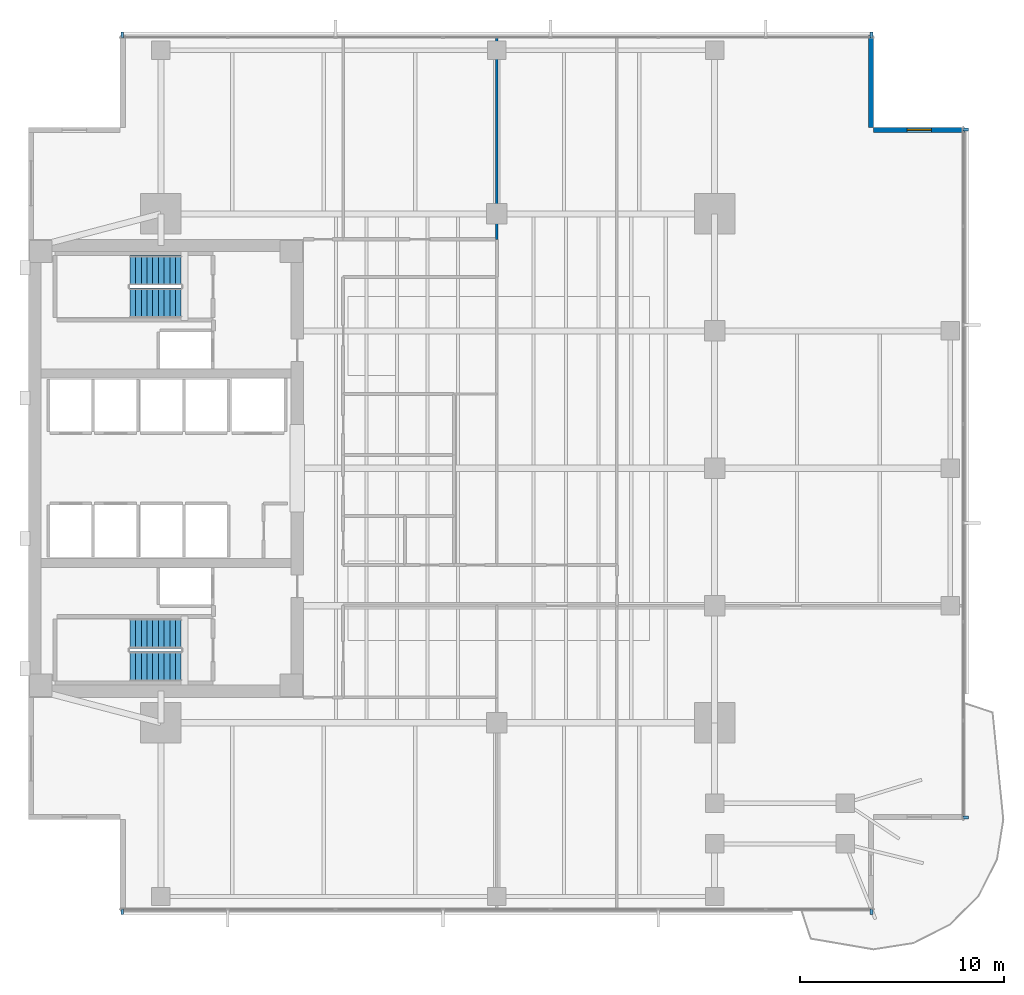
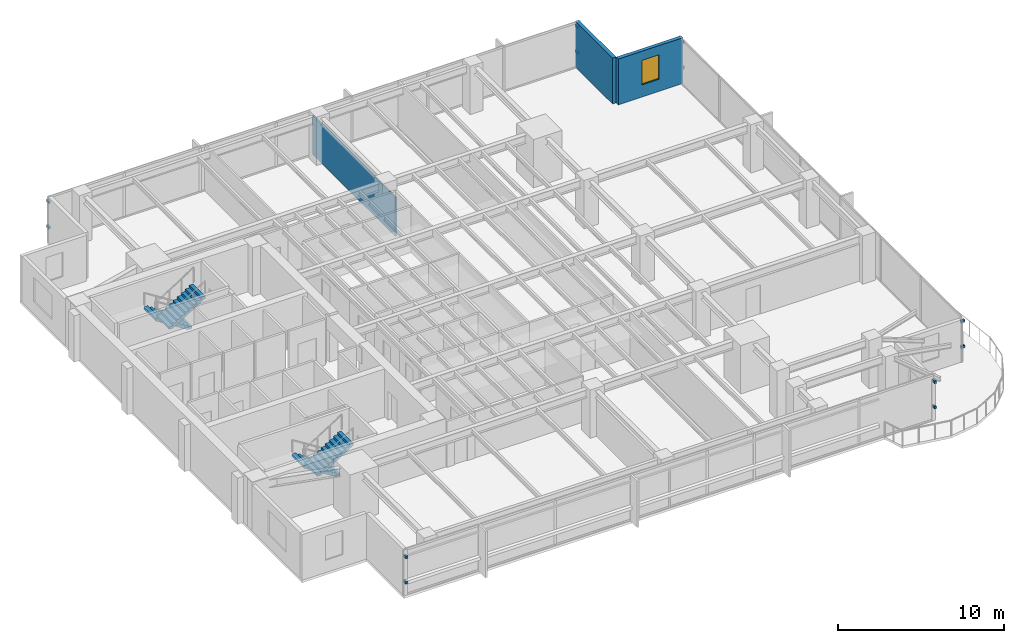
# One storey, part 10 of 14: 12 discrete accessories, 4 stair flights, 3 walls, 1 window, 1 opening, 2 elements without a shape of their own.
"""IFC4 building model written with IfcOpenShell, lengths in metres."""

from ifc_helpers import new_model, si_unit, direction, frame, frame_2d, origin, origin_2d, place, context, subcontext, project, spatial, polyline, rectangle, outline, extrude, material, layer, layer_set, type_object, element, fill, aggregate, save


model = new_model("IFC4")

# Units and contexts
model_context = context("Model", 3, precision=1e-05, world=origin(), true_north=direction((0.0, 1.0)))
body_context = subcontext(model_context, "Body", "Model", "MODEL_VIEW")
ifc_project = project(units=[si_unit("LENGTHUNIT", "METRE"), si_unit("AREAUNIT", "SQUARE_METRE"), si_unit("VOLUMEUNIT", "CUBIC_METRE"), si_unit("PLANEANGLEUNIT", "RADIAN"), si_unit("MASSUNIT", "GRAM", prefix="KILO")], contexts=[model_context])

# Site, building, storey
site_placement = place(None, origin())
site = spatial("IfcSite", under=ifc_project, at=site_placement, CompositionType="ELEMENT")
building_placement = place(site_placement, origin())
building = spatial("IfcBuilding", under=site, at=building_placement, Name="Kinhvarn Gate Tower", CompositionType="ELEMENT")
storey_placement = place(building_placement, frame((0.0, 0.0, 141.300048828125)))
storey = spatial("IfcBuildingStorey", under=building, at=storey_placement, Name="L37", CompositionType="ELEMENT", Elevation=141.300048828125)

# Wall, opening, window
ifc_material_1 = material(Name="Fired architectural terracotta", Category="masonry")
ifc_layer_1 = layer(ifc_material_1, 0.25)
ifc_layer_set_1 = layer_set([ifc_layer_1], Name="Fired architectural terracotta")
wall_type_1 = type_object("IfcWallType", Name="WL-EXT-250", PredefinedType="SOLIDWALL", material=ifc_layer_set_1)
wall_1_placement = place(storey_placement, frame((50.5, 41.875, 0.0), z_axis=(0.0, 0.0, 1.0), x_axis=(-1.0, 0.0, 0.0)))
wall_1 = element("IfcWall", 1, at=wall_1_placement, inside=storey, type_object=wall_type_1, Name="Exterior Solidwall Wall EW-250 (L37 NE-Notch-1)", PredefinedType="SOLIDWALL", context=body_context, shape_type="SweptSolid", body=[
    extrude(rectangle(XDim=4.5, YDim=0.25, at=frame_2d((2.25, 0.0))), origin(), (0.0, 0.0, 1.0), 3.369873046875),
])
opening_placement = place(wall_1_placement, frame((1.64990234375, 0.0, 0.89990234375)))
opening = element("IfcOpeningElement", 2, at=opening_placement, cuts=wall_1, Name="Opening WN-02", PredefinedType="OPENING", context=body_context, shape_type="SweptSolid", body=[
    extrude(rectangle(XDim=1.199951171875, YDim=1.800048828125, at=frame_2d((0.60009765625, 0.89990234375))), frame((0.0, 0.135009765625, 0.0), z_axis=(0.0, -1.0, 0.0), x_axis=(1.0, 0.0, 0.0)), (0.0, 0.0, 1.0), 0.27001953125),
])
ifc_material_2 = material(Name="Clear low-e double glazing", Category="glass")
window_type = type_object("IfcWindowType", Name="WIN-NTC-1200", PartitioningType="SINGLE_PANEL", PredefinedType="WINDOW", material=ifc_material_2)
window_placement = place(opening_placement, origin())
window = element("IfcWindow", 3, at=window_placement, inside=storey, type_object=window_type, Name="Recessed Corner Notch Punched Window 1200x1800 mm (L37)", OverallHeight=1.800048828125, OverallWidth=1.199951171875, PartitioningType="SINGLE_PANEL", PredefinedType="WINDOW", context=body_context, shape_type="SweptSolid", body=[
    extrude(rectangle(XDim=1.199951171875, YDim=1.800048828125, at=frame_2d((0.60009765625, 0.89990234375))), frame((0.0, 0.030029296875, 0.0), z_axis=(0.0, -1.0, 0.0), x_axis=(1.0, 0.0, 0.0)), (0.0, 0.0, 1.0), 0.06005859375),
])
fill(opening, window)

# Walls
wall_2_placement = place(storey_placement, frame((45.875, 42.0, 0.0), z_axis=(0.0, 0.0, 1.0), x_axis=(0.0, 1.0, 0.0)))
element("IfcWall", 4, at=wall_2_placement, inside=storey, type_object=wall_type_1, Name="Exterior Solidwall Wall EW-250 (L37 NE-Notch-2)", PredefinedType="SOLIDWALL", context=body_context, shape_type="SweptSolid", body=[
    extrude(rectangle(XDim=4.5, YDim=0.25, at=frame_2d((2.25, 0.0))), origin(), (0.0, 0.0, 1.0), 3.369873046875),
])
ifc_material_3 = material(Name="Gypsum acoustic partition board")
ifc_layer_2 = layer(ifc_material_3, 0.1201171875)
ifc_layer_set_2 = layer_set([ifc_layer_2], Name="Gypsum acoustic partition board")
wall_type_2 = type_object("IfcWallType", Name="WL-PRT-120", PredefinedType="PARTITIONING", material=ifc_layer_set_2)
wall_3_placement = place(storey_placement, frame((27.5, 36.5, 0.0), z_axis=(0.0, 0.0, 1.0), x_axis=(0.0, 1.0, 0.0)))
element("IfcWall", 5, at=wall_3_placement, inside=storey, type_object=wall_type_2, Name="Interior Partition PW-120 (L37)", PredefinedType="PARTITIONING", context=body_context, shape_type="SweptSolid", body=[
    extrude(rectangle(XDim=9.989990234375, YDim=0.1201171875, at=frame_2d((4.9951171875, 0.0))), origin(), (0.0, 0.0, 1.0), 2.869873046875),
])

# Stair, stair flights
ifc_material_4 = material(Name="Concrete C40/50", Category="concrete")
stair_type = type_object("IfcStairType", Name="STR-DLG-177", PredefinedType="HALF_TURN_STAIR", material=ifc_material_4)
stair_1_placement = place(storey_placement, origin())
stair_1 = element("IfcStair", 6, at=stair_1_placement, inside=storey, type_object=stair_type, Name="L37 Core Smokeproof Exit Stair ST1", PredefinedType="HALF_TURN_STAIR")
stair_flight_type = type_object("IfcStairFlightType", Name="STF-DLG-177", PredefinedType="STRAIGHT", material=ifc_material_4)
stair_flight_1_placement = place(storey_placement, frame((12.0, 17.125, 0.0), z_axis=(0.0, 0.0, 1.0), x_axis=(-1.0, 0.0, 0.0)))
stair_flight_1 = element("IfcStairFlight", 7, at=stair_flight_1_placement, type_object=stair_flight_type, Name="ST1 flight 1", NumberOfRisers=10, NumberOfTreads=9, PredefinedType="STRAIGHT", RiserHeight=0.1775, TreadLength=0.28, context=body_context, shape_type="SweptSolid", body=[
    extrude(outline(polyline([(0.0, 0.0), (0.0, 0.177490234375), (0.280029296875, 0.177490234375), (0.280029296875, 0.35498046875), (0.56005859375, 0.35498046875), (0.56005859375, 0.532470703125), (0.840087890625, 0.532470703125), (0.840087890625, 0.7099609375), (1.1201171875, 0.7099609375), (1.1201171875, 0.887451171875), (1.39990234375, 0.887451171875), (1.39990234375, 1.06494140625), (1.679931640625, 1.06494140625), (1.679931640625, 1.242431640625), (1.9599609375, 1.242431640625), (1.9599609375, 1.419921875), (2.239990234375, 1.419921875), (2.239990234375, 1.597412109375), (2.52001953125, 1.597412109375), (2.52001953125, 1.77490234375), (2.52001953125, 1.419921875), (0.280029296875, 0.0), (0.0, 0.0)])), frame((0.0, 0.72509765625, 0.0), z_axis=(0.0, -1.0, 0.0), x_axis=(1.0, 0.0, 0.0)), (0.0, 0.0, 1.0), 1.449951171875),
])
stair_flight_2_placement = place(storey_placement, frame((9.47998046875, 15.52490234375, 1.77490234375), z_axis=(0.0, 0.0, 1.0), x_axis=(1.0, 0.0, 0.0)))
stair_flight_2 = element("IfcStairFlight", 8, at=stair_flight_2_placement, type_object=stair_flight_type, Name="ST1 flight 2", NumberOfRisers=10, NumberOfTreads=9, PredefinedType="STRAIGHT", RiserHeight=0.1775, TreadLength=0.28, context=body_context, shape_type="SweptSolid", body=[
    extrude(outline(polyline([(0.0, 0.0), (0.0, 0.177490234375), (0.280029296875, 0.177490234375), (0.280029296875, 0.35498046875), (0.56005859375, 0.35498046875), (0.56005859375, 0.532470703125), (0.840087890625, 0.532470703125), (0.840087890625, 0.7099609375), (1.1201171875, 0.7099609375), (1.1201171875, 0.887451171875), (1.39990234375, 0.887451171875), (1.39990234375, 1.06494140625), (1.679931640625, 1.06494140625), (1.679931640625, 1.242431640625), (1.9599609375, 1.242431640625), (1.9599609375, 1.419921875), (2.239990234375, 1.419921875), (2.239990234375, 1.597412109375), (2.52001953125, 1.597412109375), (2.52001953125, 1.77490234375), (2.52001953125, 1.419921875), (0.280029296875, 0.0), (0.0, 0.0)])), frame((0.0, 0.72509765625, 0.0), z_axis=(0.0, -1.0, 0.0), x_axis=(1.0, 0.0, 0.0)), (0.0, 0.0, 1.0), 1.449951171875),
])
aggregate(stair_1, [stair_flight_1, stair_flight_2])

stair_2_placement = place(storey_placement, origin())
stair_2 = element("IfcStair", 9, at=stair_2_placement, inside=storey, type_object=stair_type, Name="L37 Core Smokeproof Exit Stair ST2", PredefinedType="HALF_TURN_STAIR")
stair_flight_3_placement = place(storey_placement, frame((12.0, 34.97509765625, 0.0), z_axis=(0.0, 0.0, 1.0), x_axis=(-1.0, 0.0, 0.0)))
stair_flight_3 = element("IfcStairFlight", 10, at=stair_flight_3_placement, type_object=stair_flight_type, Name="ST2 flight 1", NumberOfRisers=10, NumberOfTreads=9, PredefinedType="STRAIGHT", RiserHeight=0.1775, TreadLength=0.28, context=body_context, shape_type="SweptSolid", body=[
    extrude(outline(polyline([(0.0, 0.0), (0.0, 0.177490234375), (0.280029296875, 0.177490234375), (0.280029296875, 0.35498046875), (0.56005859375, 0.35498046875), (0.56005859375, 0.532470703125), (0.840087890625, 0.532470703125), (0.840087890625, 0.7099609375), (1.1201171875, 0.7099609375), (1.1201171875, 0.887451171875), (1.39990234375, 0.887451171875), (1.39990234375, 1.06494140625), (1.679931640625, 1.06494140625), (1.679931640625, 1.242431640625), (1.9599609375, 1.242431640625), (1.9599609375, 1.419921875), (2.239990234375, 1.419921875), (2.239990234375, 1.597412109375), (2.52001953125, 1.597412109375), (2.52001953125, 1.77490234375), (2.52001953125, 1.419921875), (0.280029296875, 0.0), (0.0, 0.0)])), frame((0.0, 0.72509765625, 0.0), z_axis=(0.0, -1.0, 0.0), x_axis=(1.0, 0.0, 0.0)), (0.0, 0.0, 1.0), 1.449951171875),
])
stair_flight_4_placement = place(storey_placement, frame((9.47998046875, 33.375, 1.77490234375), z_axis=(0.0, 0.0, 1.0), x_axis=(1.0, 0.0, 0.0)))
stair_flight_4 = element("IfcStairFlight", 11, at=stair_flight_4_placement, type_object=stair_flight_type, Name="ST2 flight 2", NumberOfRisers=10, NumberOfTreads=9, PredefinedType="STRAIGHT", RiserHeight=0.1775, TreadLength=0.28, context=body_context, shape_type="SweptSolid", body=[
    extrude(outline(polyline([(0.0, 0.0), (0.0, 0.177490234375), (0.280029296875, 0.177490234375), (0.280029296875, 0.35498046875), (0.56005859375, 0.35498046875), (0.56005859375, 0.532470703125), (0.840087890625, 0.532470703125), (0.840087890625, 0.7099609375), (1.1201171875, 0.7099609375), (1.1201171875, 0.887451171875), (1.39990234375, 0.887451171875), (1.39990234375, 1.06494140625), (1.679931640625, 1.06494140625), (1.679931640625, 1.242431640625), (1.9599609375, 1.242431640625), (1.9599609375, 1.419921875), (2.239990234375, 1.419921875), (2.239990234375, 1.597412109375), (2.52001953125, 1.597412109375), (2.52001953125, 1.77490234375), (2.52001953125, 1.419921875), (0.280029296875, 0.0), (0.0, 0.0)])), frame((0.0, 0.72509765625, 0.0), z_axis=(0.0, -1.0, 0.0), x_axis=(1.0, 0.0, 0.0)), (0.0, 0.0, 1.0), 1.449951171875),
])
aggregate(stair_2, [stair_flight_3, stair_flight_4])

# Discrete accessories
ifc_material_5 = material(Name="Anodised aluminium AW-6063", Category="aluminium")
discrete_accessory_type = type_object("IfcDiscreteAccessoryType", Name="ACC-BRK-01", PredefinedType="BRACKET", material=ifc_material_5)
for number, where, z_axis, x_axis, name in (
    (12, (9.10009765625, 3.469970703125, 0.9599609375), (0.0, 0.0, 1.0), (1.0, 0.0, 0.0), "Baguette Support Bracket BK-01 (L37)"),
    (13, (9.10009765625, 3.469970703125, 2.830078125), (0.0, 0.0, 1.0), (1.0, 0.0, 0.0), "Baguette Support Bracket BK-01 (L37)"),
    (14, (45.89990234375, 3.469970703125, 0.9599609375), (0.0, 0.0, 1.0), (1.0, 0.0, 0.0), "Baguette Support Bracket BK-01 (L37)"),
    (15, (45.89990234375, 3.469970703125, 2.830078125), (0.0, 0.0, 1.0), (1.0, 0.0, 0.0), "Baguette Support Bracket BK-01 (L37)"),
    (16, (45.89990234375, 46.530029296875, 0.9599609375), (0.0, 0.0, 1.0), (-1.0, 0.0, 0.0), "Baguette Support Bracket BK-01 (L37)"),
    (17, (45.89990234375, 46.530029296875, 2.830078125), (0.0, 0.0, 1.0), (-1.0, 0.0, 0.0), "Baguette Support Bracket BK-01 (L37)"),
    (18, (9.10009765625, 46.530029296875, 0.9599609375), (0.0, 0.0, 1.0), (-1.0, 0.0, 0.0), "Baguette Support Bracket BK-01 (L37)"),
    (19, (9.10009765625, 46.530029296875, 2.830078125), (0.0, 0.0, 1.0), (-1.0, 0.0, 0.0), "Baguette Support Bracket BK-01 (L37)"),
    (20, (50.530029296875, 8.10009765625, 0.9599609375), (0.0, 0.0, 1.0), (0.0, 1.0, 0.0), "Baguette Support Bracket BK-01 (L37)"),
    (21, (50.530029296875, 8.10009765625, 2.830078125), (0.0, 0.0, 1.0), (0.0, 1.0, 0.0), "Baguette Support Bracket BK-01 (L37)"),
    (22, (50.530029296875, 41.89990234375, 0.9599609375), (0.0, 0.0, 1.0), (0.0, 1.0, 0.0), "Baguette Support Bracket BK-01 (L37)"),
    (23, (50.530029296875, 41.89990234375, 2.830078125), (0.0, 0.0, 1.0), (0.0, 1.0, 0.0), "Baguette Support Bracket BK-01 (L37)"),
):
    element("IfcDiscreteAccessory", number, at=place(storey_placement, frame(where, z_axis=z_axis, x_axis=x_axis)), inside=storey, type_object=discrete_accessory_type, Name=name, PredefinedType="BRACKET", context=body_context, shape_type="SweptSolid", body=[
        extrude(rectangle(XDim=0.139892578125, YDim=0.280029296875, at=origin_2d()), origin(), (0.0, 0.0, 1.0), 0.179931640625),
    ])

save(model, "model.ifc")
